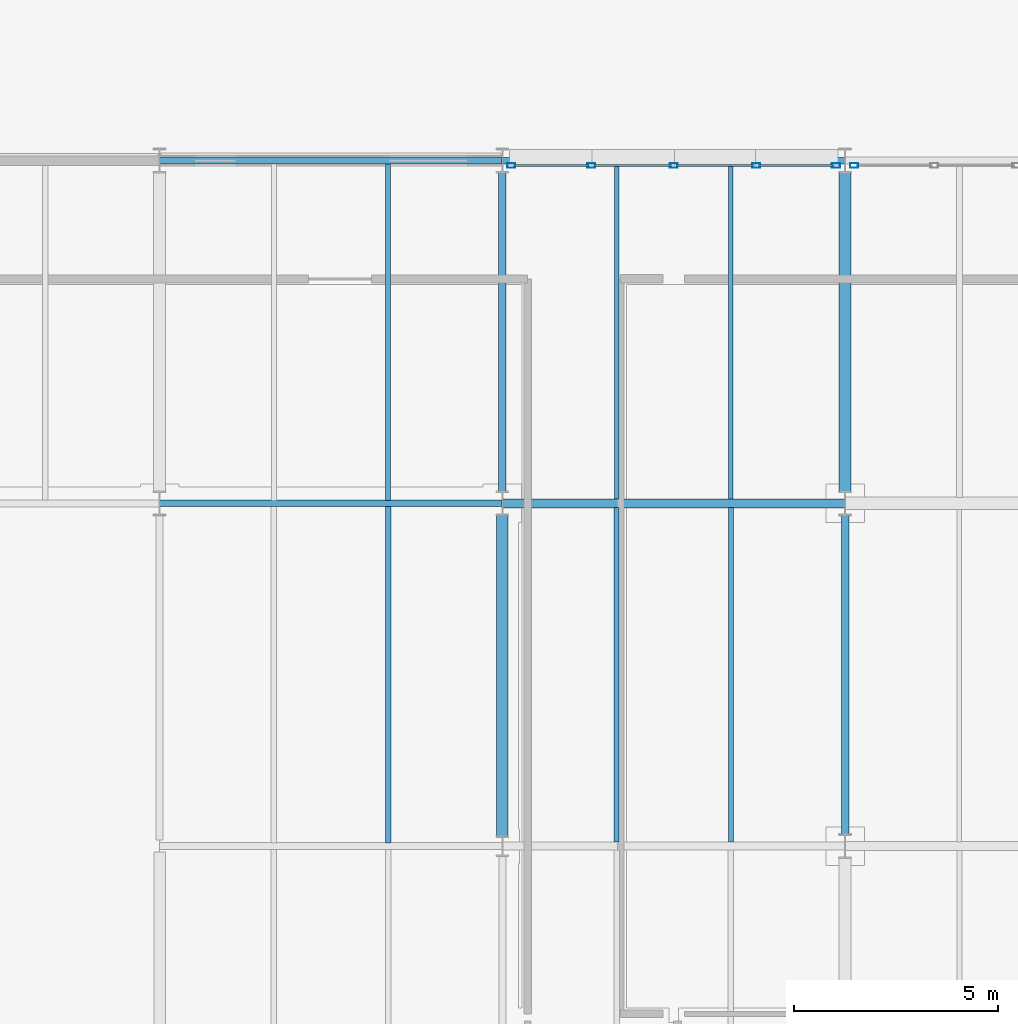
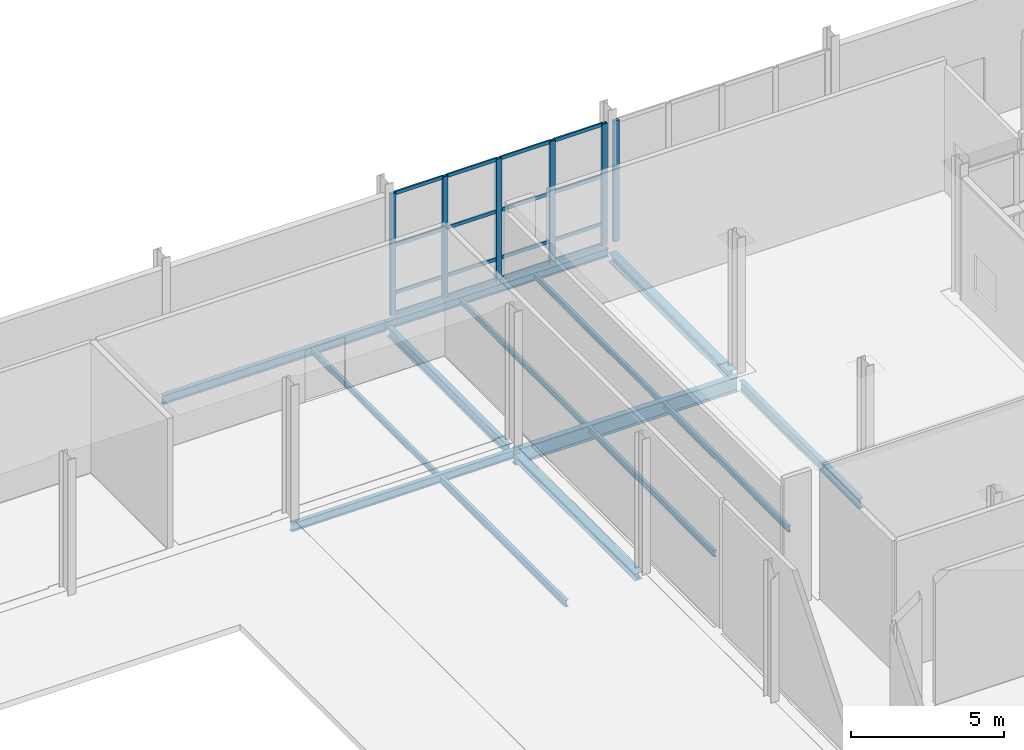
# One storey, part 43 of 124: 22 members, 14 beams, 2 elements without a shape of their own.
"""IFC4 building model written with IfcOpenShell, lengths in metres."""

from ifc_helpers import new_model, si_unit, direction, frame, origin, origin_2d, place, context, subcontext, project, spatial, hollow_rectangle, i_section, extrude, material, material_profile, profile_set, type_object, element, aggregate, save


model = new_model("IFC4")

# Units and contexts
model_context = context("Model", 3, precision=1e-05, world=origin(), true_north=direction((0.0, 1.0)))
body_context = subcontext(model_context, "Body", "Model", "MODEL_VIEW")
ifc_project = project(units=[si_unit("LENGTHUNIT", "METRE"), si_unit("AREAUNIT", "SQUARE_METRE"), si_unit("VOLUMEUNIT", "CUBIC_METRE"), si_unit("PLANEANGLEUNIT", "RADIAN"), si_unit("MASSUNIT", "GRAM", prefix="KILO")], contexts=[model_context])

# Site, building, storey
site_placement = place(None, origin())
site = spatial("IfcSite", under=ifc_project, at=site_placement, CompositionType="ELEMENT")
building_placement = place(site_placement, origin())
building = spatial("IfcBuilding", under=site, at=building_placement, Name="Mersafa Astral City Hall", CompositionType="ELEMENT")
storey_placement = place(building_placement, origin())
storey = spatial("IfcBuildingStorey", under=building, at=storey_placement, Name="L00", CompositionType="ELEMENT", Elevation=0.0)

# Curtain wall, member
ifc_material_1 = material(Name="Anodised bronze aluminium framing", Category="aluminium")
curtain_wall_type_1 = type_object("IfcCurtainWallType", Name="ENV-CW-3", PredefinedType="USERDEFINED", material=ifc_material_1)
curtain_wall_1_placement = place(storey_placement, origin())
curtain_wall_1 = element("IfcCurtainWall", 1, at=curtain_wall_1_placement, inside=storey, type_object=curtain_wall_type_1, Name="L00 Unitised solar curtain wall 32", ObjectType="UNITISED CURTAIN WALL", PredefinedType="USERDEFINED")
ifc_material_profile_1 = material_profile(ifc_material_1, hollow_rectangle(XDim=0.1201171875, YDim=0.199951171875, WallThickness=0.008056640625, at=origin_2d()), Name="RHS 120x200x8")
ifc_profile_set_1 = profile_set([ifc_material_profile_1], Name="Anodised bronze aluminium framing")
member_type_1 = type_object("IfcMemberType", Name="ENV-CW-MUL-2", PredefinedType="MULLION", material=ifc_profile_set_1)
member_1_placement = place(storey_placement, frame((109.422119140625, 125.8798828125, -0.001953125), z_axis=(0.0, 0.0, 1.0), x_axis=(0.0, -1.0, 0.0)))
member_1 = element("IfcMember", 2, at=member_1_placement, type_object=member_type_1, Name="CW-3 mullion 5", PredefinedType="MULLION", context=body_context, shape_type="SweptSolid", body=[
    extrude(hollow_rectangle(XDim=0.1201171875, YDim=0.199951171875, WallThickness=0.008056640625, at=origin_2d()), origin(), (0.0, 0.0, 1.0), 4.81396484375),
])
aggregate(curtain_wall_1, [member_1])

# Curtain wall, members
curtain_wall_type_2 = type_object("IfcCurtainWallType", Name="ENV-CW-4", PredefinedType="USERDEFINED", material=ifc_material_1)
curtain_wall_2_placement = place(storey_placement, origin())
curtain_wall_2 = element("IfcCurtainWall", 3, at=curtain_wall_2_placement, inside=storey, type_object=curtain_wall_type_2, Name="L00 Unitised solar curtain wall 33", ObjectType="UNITISED CURTAIN WALL", PredefinedType="USERDEFINED")
member_2_placement = place(storey_placement, frame((108.97802734375, 125.8798828125, -0.001953125), z_axis=(0.0, 0.0, 1.0), x_axis=(0.0, -1.0, 0.0)))
member_2 = element("IfcMember", 4, at=member_2_placement, type_object=member_type_1, Name="CW-4 mullion 1", PredefinedType="MULLION", context=body_context, shape_type="SweptSolid", body=[
    extrude(hollow_rectangle(XDim=0.1201171875, YDim=0.199951171875, WallThickness=0.008056640625, at=origin_2d()), origin(), (0.0, 0.0, 1.0), 4.843994140625),
])
member_3_placement = place(storey_placement, frame((107.01904296875, 125.8798828125, -0.001953125), z_axis=(0.0, 0.0, 1.0), x_axis=(0.0, -1.0, 0.0)))
member_3 = element("IfcMember", 5, at=member_3_placement, type_object=member_type_1, Name="CW-4 mullion 2", PredefinedType="MULLION", context=body_context, shape_type="SweptSolid", body=[
    extrude(hollow_rectangle(XDim=0.1201171875, YDim=0.199951171875, WallThickness=0.008056640625, at=origin_2d()), origin(), (0.0, 0.0, 1.0), 4.843994140625),
])
member_4_placement = place(storey_placement, frame((105.0, 125.8798828125, -0.001953125), z_axis=(0.0, 0.0, 1.0), x_axis=(0.0, -1.0, 0.0)))
member_4 = element("IfcMember", 6, at=member_4_placement, type_object=member_type_1, Name="CW-4 mullion 3", PredefinedType="MULLION", context=body_context, shape_type="SweptSolid", body=[
    extrude(hollow_rectangle(XDim=0.1201171875, YDim=0.199951171875, WallThickness=0.008056640625, at=origin_2d()), origin(), (0.0, 0.0, 1.0), 4.843994140625),
])
member_5_placement = place(storey_placement, frame((102.98095703125, 125.8798828125, -0.001953125), z_axis=(0.0, 0.0, 1.0), x_axis=(0.0, -1.0, 0.0)))
member_5 = element("IfcMember", 7, at=member_5_placement, type_object=member_type_1, Name="CW-4 mullion 4", PredefinedType="MULLION", context=body_context, shape_type="SweptSolid", body=[
    extrude(hollow_rectangle(XDim=0.1201171875, YDim=0.199951171875, WallThickness=0.008056640625, at=origin_2d()), origin(), (0.0, 0.0, 1.0), 4.843994140625),
])
member_6_placement = place(storey_placement, frame((101.02197265625, 125.8798828125, -0.001953125), z_axis=(0.0, 0.0, 1.0), x_axis=(0.0, -1.0, 0.0)))
member_6 = element("IfcMember", 8, at=member_6_placement, type_object=member_type_1, Name="CW-4 mullion 5", PredefinedType="MULLION", context=body_context, shape_type="SweptSolid", body=[
    extrude(hollow_rectangle(XDim=0.1201171875, YDim=0.199951171875, WallThickness=0.008056640625, at=origin_2d()), origin(), (0.0, 0.0, 1.0), 4.843994140625),
])
ifc_material_profile_2 = material_profile(ifc_material_1, hollow_rectangle(XDim=0.06005859375, YDim=0.139892578125, WallThickness=0.00390625, at=origin_2d()), Name="RHS 60x140x4")
ifc_profile_set_2 = profile_set([ifc_material_profile_2], Name="Anodised bronze aluminium framing")
member_type_2 = type_object("IfcMemberType", Name="ENV-CW-TRN-1", PredefinedType="USERDEFINED", material=ifc_profile_set_2)
member_7_placement = place(storey_placement, frame((108.91796875, 125.8798828125, 0.028076171875), z_axis=(-1.0, 0.0, 0.0), x_axis=(0.0, -1.0, 0.0)))
member_7 = element("IfcMember", 9, at=member_7_placement, type_object=member_type_2, Name="CW-4 transom 1.1", ObjectType="TRANSOM", PredefinedType="USERDEFINED", context=body_context, shape_type="SweptSolid", body=[
    extrude(hollow_rectangle(XDim=0.06005859375, YDim=0.139892578125, WallThickness=0.00390625, at=origin_2d()), origin(), (0.0, 0.0, 1.0), 1.8388671875),
])
member_8_placement = place(storey_placement, frame((108.91796875, 125.8798828125, 0.85009765625), z_axis=(-1.0, 0.0, 0.0), x_axis=(0.0, -1.0, 0.0)))
member_8 = element("IfcMember", 10, at=member_8_placement, type_object=member_type_2, Name="CW-4 transom 1.2", ObjectType="TRANSOM", PredefinedType="USERDEFINED", context=body_context, shape_type="SweptSolid", body=[
    extrude(hollow_rectangle(XDim=0.06005859375, YDim=0.139892578125, WallThickness=0.00390625, at=origin_2d()), origin(), (0.0, 0.0, 1.0), 1.8388671875),
])
member_9_placement = place(storey_placement, frame((108.91796875, 125.8798828125, 2.75), z_axis=(-1.0, 0.0, 0.0), x_axis=(0.0, -1.0, 0.0)))
member_9 = element("IfcMember", 11, at=member_9_placement, type_object=member_type_2, Name="CW-4 transom 1.3", ObjectType="TRANSOM", PredefinedType="USERDEFINED", context=body_context, shape_type="SweptSolid", body=[
    extrude(hollow_rectangle(XDim=0.06005859375, YDim=0.139892578125, WallThickness=0.00390625, at=origin_2d()), origin(), (0.0, 0.0, 1.0), 1.8388671875),
])
member_10_placement = place(storey_placement, frame((108.91796875, 125.8798828125, 4.81201171875), z_axis=(-1.0, 0.0, 0.0), x_axis=(0.0, -1.0, 0.0)))
member_10 = element("IfcMember", 12, at=member_10_placement, type_object=member_type_2, Name="CW-4 transom 1.4", ObjectType="TRANSOM", PredefinedType="USERDEFINED", context=body_context, shape_type="SweptSolid", body=[
    extrude(hollow_rectangle(XDim=0.06005859375, YDim=0.139892578125, WallThickness=0.00390625, at=origin_2d()), origin(), (0.0, 0.0, 1.0), 1.8388671875),
])
member_11_placement = place(storey_placement, frame((106.958984375, 125.8798828125, 0.028076171875), z_axis=(-1.0, 0.0, 0.0), x_axis=(0.0, -1.0, 0.0)))
member_11 = element("IfcMember", 13, at=member_11_placement, type_object=member_type_2, Name="CW-4 transom 2.1", ObjectType="TRANSOM", PredefinedType="USERDEFINED", context=body_context, shape_type="SweptSolid", body=[
    extrude(hollow_rectangle(XDim=0.06005859375, YDim=0.139892578125, WallThickness=0.00390625, at=origin_2d()), origin(), (0.0, 0.0, 1.0), 1.89892578125),
])
member_12_placement = place(storey_placement, frame((106.958984375, 125.8798828125, 0.85009765625), z_axis=(-1.0, 0.0, 0.0), x_axis=(0.0, -1.0, 0.0)))
member_12 = element("IfcMember", 14, at=member_12_placement, type_object=member_type_2, Name="CW-4 transom 2.2", ObjectType="TRANSOM", PredefinedType="USERDEFINED", context=body_context, shape_type="SweptSolid", body=[
    extrude(hollow_rectangle(XDim=0.06005859375, YDim=0.139892578125, WallThickness=0.00390625, at=origin_2d()), origin(), (0.0, 0.0, 1.0), 1.89892578125),
])
member_13_placement = place(storey_placement, frame((106.958984375, 125.8798828125, 2.75), z_axis=(-1.0, 0.0, 0.0), x_axis=(0.0, -1.0, 0.0)))
member_13 = element("IfcMember", 15, at=member_13_placement, type_object=member_type_2, Name="CW-4 transom 2.3", ObjectType="TRANSOM", PredefinedType="USERDEFINED", context=body_context, shape_type="SweptSolid", body=[
    extrude(hollow_rectangle(XDim=0.06005859375, YDim=0.139892578125, WallThickness=0.00390625, at=origin_2d()), origin(), (0.0, 0.0, 1.0), 1.89892578125),
])
member_14_placement = place(storey_placement, frame((106.958984375, 125.8798828125, 4.81201171875), z_axis=(-1.0, 0.0, 0.0), x_axis=(0.0, -1.0, 0.0)))
member_14 = element("IfcMember", 16, at=member_14_placement, type_object=member_type_2, Name="CW-4 transom 2.4", ObjectType="TRANSOM", PredefinedType="USERDEFINED", context=body_context, shape_type="SweptSolid", body=[
    extrude(hollow_rectangle(XDim=0.06005859375, YDim=0.139892578125, WallThickness=0.00390625, at=origin_2d()), origin(), (0.0, 0.0, 1.0), 1.89892578125),
])
member_15_placement = place(storey_placement, frame((104.93994140625, 125.8798828125, 0.028076171875), z_axis=(-1.0, 0.0, 0.0), x_axis=(0.0, -1.0, 0.0)))
member_15 = element("IfcMember", 17, at=member_15_placement, type_object=member_type_2, Name="CW-4 transom 3.1", ObjectType="TRANSOM", PredefinedType="USERDEFINED", context=body_context, shape_type="SweptSolid", body=[
    extrude(hollow_rectangle(XDim=0.06005859375, YDim=0.139892578125, WallThickness=0.00390625, at=origin_2d()), origin(), (0.0, 0.0, 1.0), 1.89892578125),
])
member_16_placement = place(storey_placement, frame((104.93994140625, 125.8798828125, 0.85009765625), z_axis=(-1.0, 0.0, 0.0), x_axis=(0.0, -1.0, 0.0)))
member_16 = element("IfcMember", 18, at=member_16_placement, type_object=member_type_2, Name="CW-4 transom 3.2", ObjectType="TRANSOM", PredefinedType="USERDEFINED", context=body_context, shape_type="SweptSolid", body=[
    extrude(hollow_rectangle(XDim=0.06005859375, YDim=0.139892578125, WallThickness=0.00390625, at=origin_2d()), origin(), (0.0, 0.0, 1.0), 1.89892578125),
])
member_17_placement = place(storey_placement, frame((104.93994140625, 125.8798828125, 2.75), z_axis=(-1.0, 0.0, 0.0), x_axis=(0.0, -1.0, 0.0)))
member_17 = element("IfcMember", 19, at=member_17_placement, type_object=member_type_2, Name="CW-4 transom 3.3", ObjectType="TRANSOM", PredefinedType="USERDEFINED", context=body_context, shape_type="SweptSolid", body=[
    extrude(hollow_rectangle(XDim=0.06005859375, YDim=0.139892578125, WallThickness=0.00390625, at=origin_2d()), origin(), (0.0, 0.0, 1.0), 1.89892578125),
])
member_18_placement = place(storey_placement, frame((104.93994140625, 125.8798828125, 4.81201171875), z_axis=(-1.0, 0.0, 0.0), x_axis=(0.0, -1.0, 0.0)))
member_18 = element("IfcMember", 20, at=member_18_placement, type_object=member_type_2, Name="CW-4 transom 3.4", ObjectType="TRANSOM", PredefinedType="USERDEFINED", context=body_context, shape_type="SweptSolid", body=[
    extrude(hollow_rectangle(XDim=0.06005859375, YDim=0.139892578125, WallThickness=0.00390625, at=origin_2d()), origin(), (0.0, 0.0, 1.0), 1.89892578125),
])
member_19_placement = place(storey_placement, frame((102.9208984375, 125.8798828125, 0.028076171875), z_axis=(-1.0, 0.0, 0.0), x_axis=(0.0, -1.0, 0.0)))
member_19 = element("IfcMember", 21, at=member_19_placement, type_object=member_type_2, Name="CW-4 transom 4.1", ObjectType="TRANSOM", PredefinedType="USERDEFINED", context=body_context, shape_type="SweptSolid", body=[
    extrude(hollow_rectangle(XDim=0.06005859375, YDim=0.139892578125, WallThickness=0.00390625, at=origin_2d()), origin(), (0.0, 0.0, 1.0), 1.8388671875),
])
member_20_placement = place(storey_placement, frame((102.9208984375, 125.8798828125, 0.85009765625), z_axis=(-1.0, 0.0, 0.0), x_axis=(0.0, -1.0, 0.0)))
member_20 = element("IfcMember", 22, at=member_20_placement, type_object=member_type_2, Name="CW-4 transom 4.2", ObjectType="TRANSOM", PredefinedType="USERDEFINED", context=body_context, shape_type="SweptSolid", body=[
    extrude(hollow_rectangle(XDim=0.06005859375, YDim=0.139892578125, WallThickness=0.00390625, at=origin_2d()), origin(), (0.0, 0.0, 1.0), 1.8388671875),
])
member_21_placement = place(storey_placement, frame((102.9208984375, 125.8798828125, 2.75), z_axis=(-1.0, 0.0, 0.0), x_axis=(0.0, -1.0, 0.0)))
member_21 = element("IfcMember", 23, at=member_21_placement, type_object=member_type_2, Name="CW-4 transom 4.3", ObjectType="TRANSOM", PredefinedType="USERDEFINED", context=body_context, shape_type="SweptSolid", body=[
    extrude(hollow_rectangle(XDim=0.06005859375, YDim=0.139892578125, WallThickness=0.00390625, at=origin_2d()), origin(), (0.0, 0.0, 1.0), 1.8388671875),
])
member_22_placement = place(storey_placement, frame((102.9208984375, 125.8798828125, 4.81201171875), z_axis=(-1.0, 0.0, 0.0), x_axis=(0.0, -1.0, 0.0)))
member_22 = element("IfcMember", 24, at=member_22_placement, type_object=member_type_2, Name="CW-4 transom 4.4", ObjectType="TRANSOM", PredefinedType="USERDEFINED", context=body_context, shape_type="SweptSolid", body=[
    extrude(hollow_rectangle(XDim=0.06005859375, YDim=0.139892578125, WallThickness=0.00390625, at=origin_2d()), origin(), (0.0, 0.0, 1.0), 1.8388671875),
])
aggregate(curtain_wall_2, [member_2, member_3, member_4, member_5, member_6, member_7, member_8, member_9, member_10, member_11, member_12, member_13, member_14, member_15, member_16, member_17, member_18, member_19, member_20, member_21, member_22])

# Beams
ifc_material_2 = material(Name="Steel S355", Category="steel")
ifc_material_profile_3 = material_profile(ifc_material_2, i_section(OverallWidth=0.300048828125, OverallDepth=0.35009765625, WebThickness=0.010009765625, FlangeThickness=0.017578125, FilletRadius=0.027099609375, at=origin_2d()), Name="HEA 360")
ifc_profile_set_3 = profile_set([ifc_material_profile_3], Name="Steel S355")
beam_type_1 = type_object("IfcBeamType", Name="STR-BM-HEA360", PredefinedType="BEAM", material=ifc_profile_set_3)
beam_1_placement = place(storey_placement, frame((109.199951171875, 117.89501953125, -0.425048828125), z_axis=(0.0, 1.0, 0.0), x_axis=(-1.0, 0.0, 0.0)))
element("IfcBeam", 25, at=beam_1_placement, inside=storey, type_object=beam_type_1, Name="L00 Primary girder Y 13-14", PredefinedType="BEAM", context=body_context, shape_type="SweptSolid", body=[
    extrude(i_section(OverallWidth=0.300048828125, OverallDepth=0.35009765625, WebThickness=0.010009765625, FlangeThickness=0.017578125, FilletRadius=0.027099609375, at=origin_2d()), origin(), (0.0, 0.0, 1.0), 7.81005859375),
])
ifc_material_profile_4 = material_profile(ifc_material_2, i_section(OverallWidth=0.179931640625, OverallDepth=0.39990234375, WebThickness=0.008544921875, FlangeThickness=0.013427734375, FilletRadius=0.02099609375, at=origin_2d()), Name="IPE 400")
ifc_profile_set_4 = profile_set([ifc_material_profile_4], Name="Steel S355")
beam_type_2 = type_object("IfcBeamType", Name="STR-BM-IPE400", PredefinedType="BEAM", material=ifc_profile_set_4)
beam_2_placement = place(storey_placement, frame((100.800048828125, 117.89501953125, -0.449951171875), z_axis=(0.0, 1.0, 0.0), x_axis=(-1.0, 0.0, 0.0)))
element("IfcBeam", 26, at=beam_2_placement, inside=storey, type_object=beam_type_2, Name="L00 Primary girder Y 12-14", PredefinedType="BEAM", context=body_context, shape_type="SweptSolid", body=[
    extrude(i_section(OverallWidth=0.179931640625, OverallDepth=0.39990234375, WebThickness=0.008544921875, FlangeThickness=0.013427734375, FilletRadius=0.02099609375, at=origin_2d()), origin(), (0.0, 0.0, 1.0), 7.81005859375),
])
beam_3_placement = place(storey_placement, frame((109.199951171875, 109.4951171875, -0.449951171875), z_axis=(0.0, 1.0, 0.0), x_axis=(-1.0, 0.0, 0.0)))
element("IfcBeam", 27, at=beam_3_placement, inside=storey, type_object=beam_type_2, Name="L00 Primary girder Y 13-13", PredefinedType="BEAM", context=body_context, shape_type="SweptSolid", body=[
    extrude(i_section(OverallWidth=0.179931640625, OverallDepth=0.39990234375, WebThickness=0.008544921875, FlangeThickness=0.013427734375, FilletRadius=0.02099609375, at=origin_2d()), origin(), (0.0, 0.0, 1.0), 7.809814453125),
])
ifc_material_profile_5 = material_profile(ifc_material_2, i_section(OverallWidth=0.219970703125, OverallDepth=0.60009765625, WebThickness=0.011962890625, FlangeThickness=0.01904296875, FilletRadius=0.02392578125, at=origin_2d()), Name="IPE 600")
ifc_profile_set_5 = profile_set([ifc_material_profile_5], Name="Steel S355")
beam_type_3 = type_object("IfcBeamType", Name="STR-BM-IPE600", PredefinedType="BEAM", material=ifc_profile_set_5)
beam_4_placement = place(storey_placement, frame((100.802978515625, 117.60009765625, -0.550048828125), z_axis=(1.0, 0.0, 0.0), x_axis=(0.0, 1.0, 0.0)))
element("IfcBeam", 28, at=beam_4_placement, inside=storey, type_object=beam_type_3, Name="L00 Primary girder X 12-14", PredefinedType="BEAM", context=body_context, shape_type="SweptSolid", body=[
    extrude(i_section(OverallWidth=0.219970703125, OverallDepth=0.60009765625, WebThickness=0.011962890625, FlangeThickness=0.01904296875, FilletRadius=0.02392578125, at=origin_2d()), origin(), (0.0, 0.0, 1.0), 8.39404296875),
])
ifc_material_profile_6 = material_profile(ifc_material_2, i_section(OverallWidth=0.110107421875, OverallDepth=0.219970703125, WebThickness=0.005859375, FlangeThickness=0.00927734375, FilletRadius=0.011962890625, at=origin_2d()), Name="IPE 220")
ifc_profile_set_6 = profile_set([ifc_material_profile_6], Name="Steel S355")
beam_type_4 = type_object("IfcBeamType", Name="STR-BM-JOIST-IPE220", PredefinedType="JOIST", material=ifc_profile_set_6)
for number, where, z_axis, x_axis, name in (
    (29, (103.60009765625, 117.705078125, -0.360107421875), (0.0, 1.0, 0.0), (-1.0, 0.0, 0.0), "L00 Composite secondary floor joist 106"),
    (30, (106.39990234375, 117.705078125, -0.360107421875), (0.0, 1.0, 0.0), (-1.0, 0.0, 0.0), "L00 Composite secondary floor joist 107"),
):
    element("IfcBeam", number, at=place(storey_placement, frame(where, z_axis=z_axis, x_axis=x_axis)), inside=storey, type_object=beam_type_4, Name=name, PredefinedType="JOIST", context=body_context, shape_type="SweptSolid", body=[
        extrude(i_section(OverallWidth=0.110107421875, OverallDepth=0.219970703125, WebThickness=0.005859375, FlangeThickness=0.00927734375, FilletRadius=0.011962890625, at=origin_2d()), origin(), (0.0, 0.0, 1.0), 8.219970703125),
    ])
ifc_material_profile_7 = material_profile(ifc_material_2, i_section(OverallWidth=0.1201171875, OverallDepth=0.239990234375, WebThickness=0.006103515625, FlangeThickness=0.009765625, FilletRadius=0.014892578125, at=origin_2d()), Name="IPE 240")
ifc_profile_set_7 = profile_set([ifc_material_profile_7], Name="Steel S355")
beam_type_5 = type_object("IfcBeamType", Name="STR-BM-JOIST-IPE240", PredefinedType="JOIST", material=ifc_profile_set_7)
beam_5_placement = place(storey_placement, frame((98.0, 117.675048828125, -0.3701171875), z_axis=(0.0, 1.0, 0.0), x_axis=(-1.0, 0.0, 0.0)))
element("IfcBeam", 31, at=beam_5_placement, inside=storey, type_object=beam_type_5, Name="L00 Composite secondary floor joist 77", PredefinedType="JOIST", context=body_context, shape_type="SweptSolid", body=[
    extrude(i_section(OverallWidth=0.1201171875, OverallDepth=0.239990234375, WebThickness=0.006103515625, FlangeThickness=0.009765625, FilletRadius=0.014892578125, at=origin_2d()), origin(), (0.0, 0.0, 1.0), 8.244873046875),
])
for number, where, z_axis, x_axis, name in (
    (32, (103.60009765625, 109.294921875, -0.3701171875), (0.0, 1.0, 0.0), (-1.0, 0.0, 0.0), "L00 Composite secondary floor joist 104"),
    (33, (106.39990234375, 109.294921875, -0.3701171875), (0.0, 1.0, 0.0), (-1.0, 0.0, 0.0), "L00 Composite secondary floor joist 105"),
):
    element("IfcBeam", number, at=place(storey_placement, frame(where, z_axis=z_axis, x_axis=x_axis)), inside=storey, type_object=beam_type_5, Name=name, PredefinedType="JOIST", context=body_context, shape_type="SweptSolid", body=[
        extrude(i_section(OverallWidth=0.1201171875, OverallDepth=0.239990234375, WebThickness=0.006103515625, FlangeThickness=0.009765625, FilletRadius=0.014892578125, at=origin_2d()), origin(), (0.0, 0.0, 1.0), 8.2001953125),
    ])
ifc_material_profile_8 = material_profile(ifc_material_2, i_section(OverallWidth=0.135009765625, OverallDepth=0.27001953125, WebThickness=0.006591796875, FlangeThickness=0.01025390625, FilletRadius=0.014892578125, at=origin_2d()), Name="IPE 270")
ifc_profile_set_8 = profile_set([ifc_material_profile_8], Name="Steel S355")
beam_type_6 = type_object("IfcBeamType", Name="STR-BM-JOIST-IPE270", PredefinedType="JOIST", material=ifc_profile_set_8)
beam_6_placement = place(storey_placement, frame((98.0, 109.280029296875, -0.385009765625), z_axis=(0.0, 1.0, 0.0), x_axis=(-1.0, 0.0, 0.0)))
element("IfcBeam", 34, at=beam_6_placement, inside=storey, type_object=beam_type_6, Name="L00 Flat roof secondary joist 18", PredefinedType="JOIST", context=body_context, shape_type="SweptSolid", body=[
    extrude(i_section(OverallWidth=0.135009765625, OverallDepth=0.27001953125, WebThickness=0.006591796875, FlangeThickness=0.01025390625, FilletRadius=0.014892578125, at=origin_2d()), origin(), (0.0, 0.0, 1.0), 8.244873046875),
])
ifc_material_profile_9 = material_profile(ifc_material_2, i_section(OverallWidth=0.280029296875, OverallDepth=0.27001953125, WebThickness=0.008056640625, FlangeThickness=0.012939453125, FilletRadius=0.02392578125, at=origin_2d()), Name="HEA 280")
ifc_profile_set_9 = profile_set([ifc_material_profile_9], Name="Steel S355")
beam_type_7 = type_object("IfcBeamType", Name="STR-BM-SPANDREL-HEA280", PredefinedType="SPANDREL", material=ifc_profile_set_9)
beam_7_placement = place(storey_placement, frame((100.800048828125, 109.445068359375, -0.385009765625), z_axis=(0.0, 1.0, 0.0), x_axis=(-1.0, 0.0, 0.0)))
element("IfcBeam", 35, at=beam_7_placement, inside=storey, type_object=beam_type_7, Name="L00 Primary girder Y 12-13", PredefinedType="SPANDREL", context=body_context, shape_type="SweptSolid", body=[
    extrude(i_section(OverallWidth=0.280029296875, OverallDepth=0.27001953125, WebThickness=0.008056640625, FlangeThickness=0.012939453125, FilletRadius=0.02392578125, at=origin_2d()), origin(), (0.0, 0.0, 1.0), 7.85986328125),
])
ifc_material_profile_10 = material_profile(ifc_material_2, i_section(OverallWidth=0.159912109375, OverallDepth=0.330078125, WebThickness=0.007568359375, FlangeThickness=0.011474609375, FilletRadius=0.01806640625, at=origin_2d()), Name="IPE 330")
ifc_profile_set_10 = profile_set([ifc_material_profile_10], Name="Steel S355")
beam_type_8 = type_object("IfcBeamType", Name="STR-BM-SPANDREL-IPE330", PredefinedType="SPANDREL", material=ifc_profile_set_10)
for number, where, z_axis, x_axis, name in (
    (36, (92.403076171875, 117.60009765625, -0.4150390625), (1.0, 0.0, 0.0), (0.0, 1.0, 0.0), "L00 Primary girder X 11-14"),
    (37, (100.802978515625, 126.0, -0.4150390625), (1.0, 0.0, 0.0), (0.0, 1.0, 0.0), "L00 Primary girder X 12-15"),
):
    element("IfcBeam", number, at=place(storey_placement, frame(where, z_axis=z_axis, x_axis=x_axis)), inside=storey, type_object=beam_type_8, Name=name, PredefinedType="SPANDREL", context=body_context, shape_type="SweptSolid", body=[
        extrude(i_section(OverallWidth=0.159912109375, OverallDepth=0.330078125, WebThickness=0.007568359375, FlangeThickness=0.011474609375, FilletRadius=0.01806640625, at=origin_2d()), origin(), (0.0, 0.0, 1.0), 8.39404296875),
    ])
ifc_material_profile_11 = material_profile(ifc_material_2, i_section(OverallWidth=0.169921875, OverallDepth=0.360107421875, WebThickness=0.008056640625, FlangeThickness=0.0126953125, FilletRadius=0.01806640625, at=origin_2d()), Name="IPE 360")
ifc_profile_set_11 = profile_set([ifc_material_profile_11], Name="Steel S355")
beam_type_9 = type_object("IfcBeamType", Name="STR-BM-SPANDREL-IPE360", PredefinedType="SPANDREL", material=ifc_profile_set_11)
beam_8_placement = place(storey_placement, frame((92.403076171875, 126.0, -0.429931640625), z_axis=(1.0, 0.0, 0.0), x_axis=(0.0, 1.0, 0.0)))
element("IfcBeam", 38, at=beam_8_placement, inside=storey, type_object=beam_type_9, Name="L00 Primary girder X 11-15", PredefinedType="SPANDREL", context=body_context, shape_type="SweptSolid", body=[
    extrude(i_section(OverallWidth=0.169921875, OverallDepth=0.360107421875, WebThickness=0.008056640625, FlangeThickness=0.0126953125, FilletRadius=0.01806640625, at=origin_2d()), origin(), (0.0, 0.0, 1.0), 8.39404296875),
])

save(model, "model.ifc")
